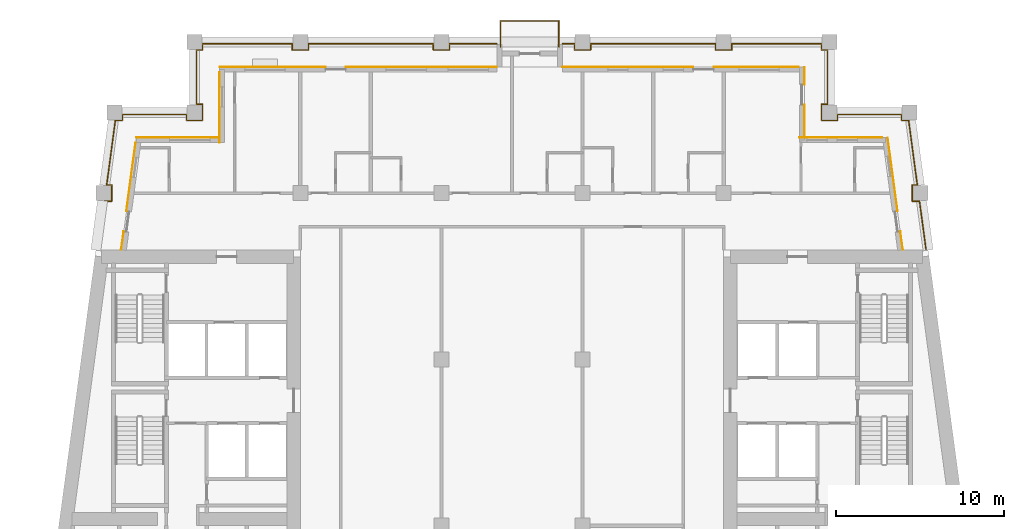
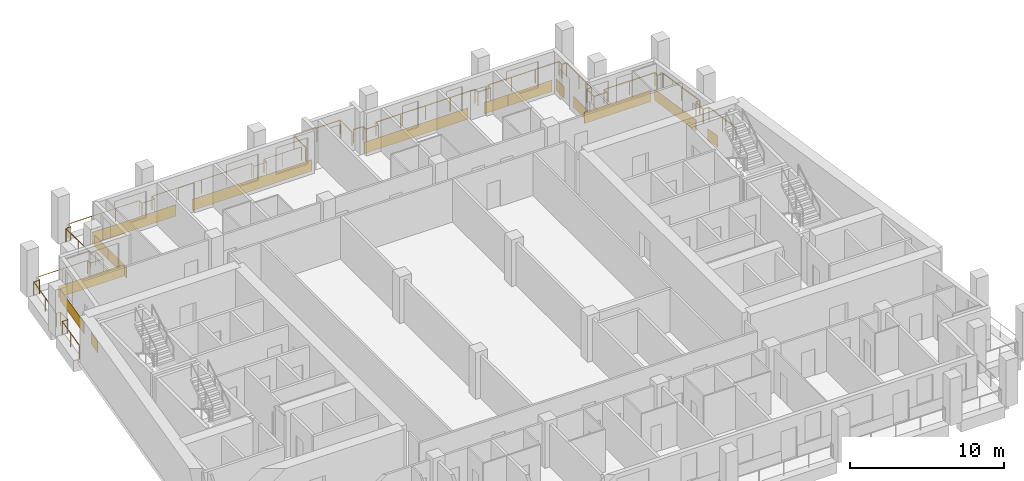
# One storey, part 12 of 13: 15 coverings, 3 railings.
"""IFC4 building model written with IfcOpenShell, lengths in metres."""

from ifc_helpers import new_model, si_unit, direction, frame, origin, origin_2d, place, context, subcontext, project, spatial, rectangle, circle, extrude, material, layer, layer_set, type_object, element, save


model = new_model("IFC4")

# Units and contexts
model_context = context("Model", 3, precision=1e-05, world=origin(), true_north=direction((0.0, 1.0)))
body_context = subcontext(model_context, "Body", "Model", "MODEL_VIEW")
ifc_project = project(units=[si_unit("LENGTHUNIT", "METRE"), si_unit("AREAUNIT", "SQUARE_METRE"), si_unit("VOLUMEUNIT", "CUBIC_METRE"), si_unit("PLANEANGLEUNIT", "RADIAN"), si_unit("MASSUNIT", "GRAM", prefix="KILO")], contexts=[model_context])

# Site, building, storey
site_placement = place(None, origin())
site = spatial("IfcSite", under=ifc_project, at=site_placement, CompositionType="ELEMENT")
building_placement = place(site_placement, origin())
building = spatial("IfcBuilding", under=site, at=building_placement, Name="Candeia Pilgrim Tower and Theatre", CompositionType="ELEMENT")
storey_placement = place(building_placement, frame((0.0, 0.0, 205.89990234375)))
storey = spatial("IfcBuildingStorey", under=building, at=storey_placement, Name="L49", CompositionType="ELEMENT", Elevation=205.89990234375)

# Railings
ifc_material_1 = material(Name="Stainless steel balustrade", Category="steel")
railing_type = type_object("IfcRailingType", Name="G1 loggia guard 1100", PredefinedType="GUARDRAIL", material=ifc_material_1)
railing_1_placement = place(storey_placement, frame((88.758544921875, 132.449951171875, 0.0)))
element("IfcRailing", 1, at=railing_1_placement, inside=storey, type_object=railing_type, Name="Guard L49.2", PredefinedType="GUARDRAIL", context=body_context, shape_type="SweptSolid", body=[
    extrude(circle(Radius=0.02392578125, at=origin_2d()), frame((0.0, 0.0, 1.076171875), z_axis=(0.133450228179, 0.991055516406, 0.0), x_axis=(-0.991055516406, 0.133450228179, 0.0)), (0.0, 0.0, 1.0), 2.89599609375),
    extrude(circle(Radius=0.02392578125, at=origin_2d()), frame((0.386474609375, 2.8701171875, 1.076171875), z_axis=(1.0, 0.0, 0.0), x_axis=(0.0, 1.0, 0.0)), (0.0, 0.0, 1.0), 0.42333984375),
    extrude(circle(Radius=0.02392578125, at=origin_2d()), frame((0.809814453125, 2.8701171875, 1.076171875), z_axis=(0.0, 1.0, 0.0), x_axis=(-1.0, 0.0, 0.0)), (0.0, 0.0, 1.0), 0.9599609375),
    extrude(circle(Radius=0.02392578125, at=origin_2d()), frame((0.809814453125, 3.830078125, 1.076171875), z_axis=(-1.0, 0.0, 0.0), x_axis=(0.0, -1.0, 0.0)), (0.0, 0.0, 1.0), 0.294189453125),
    extrude(circle(Radius=0.02392578125, at=origin_2d()), frame((0.515625, 3.830078125, 1.076171875), z_axis=(0.133389399471, 0.991063705374, 0.0), x_axis=(-0.991063705374, 0.133389399471, 0.0)), (0.0, 0.0, 1.0), 3.874755859375),
    extrude(circle(Radius=0.02392578125, at=origin_2d()), frame((1.032470703125, 7.670166015625, 1.076171875), z_axis=(1.0, 0.0, 0.0), x_axis=(0.0, 1.0, 0.0)), (0.0, 0.0, 1.0), 0.423583984375),
    extrude(circle(Radius=0.02392578125, at=origin_2d()), frame((1.4560546875, 7.670166015625, 1.076171875), z_axis=(0.0, 1.0, 0.0), x_axis=(-1.0, 0.0, 0.0)), (0.0, 0.0, 1.0), 0.35986328125),
    extrude(circle(Radius=0.02392578125, at=origin_2d()), frame((1.4560546875, 8.030029296875, 1.076171875), z_axis=(1.0, 0.0, 0.0), x_axis=(0.0, 1.0, 0.0)), (0.0, 0.0, 1.0), 3.805419921875),
    extrude(circle(Radius=0.02392578125, at=origin_2d()), frame((5.261474609375, 8.030029296875, 1.076171875), z_axis=(0.0, -1.0, 0.0), x_axis=(1.0, 0.0, 0.0)), (0.0, 0.0, 1.0), 0.35986328125),
    extrude(circle(Radius=0.02392578125, at=origin_2d()), frame((5.261474609375, 7.670166015625, 1.076171875), z_axis=(1.0, 0.0, 0.0), x_axis=(0.0, 1.0, 0.0)), (0.0, 0.0, 1.0), 0.9599609375),
    extrude(circle(Radius=0.02392578125, at=origin_2d()), frame((6.221435546875, 7.670166015625, 1.076171875), z_axis=(0.0, 1.0, 0.0), x_axis=(-1.0, 0.0, 0.0)), (0.0, 0.0, 1.0), 0.9599609375),
    extrude(circle(Radius=0.02392578125, at=origin_2d()), frame((6.221435546875, 8.630126953125, 1.076171875), z_axis=(-1.0, 0.0, 0.0), x_axis=(0.0, -1.0, 0.0)), (0.0, 0.0, 1.0), 0.35986328125),
    extrude(circle(Radius=0.02392578125, at=origin_2d()), frame((5.861572265625, 8.630126953125, 1.076171875), z_axis=(0.0, 1.0, 0.0), x_axis=(-1.0, 0.0, 0.0)), (0.0, 0.0, 1.0), 3.239990234375),
    extrude(circle(Radius=0.02392578125, at=origin_2d()), frame((5.861572265625, 11.8701171875, 1.076171875), z_axis=(1.0, 0.0, 0.0), x_axis=(0.0, 1.0, 0.0)), (0.0, 0.0, 1.0), 0.35986328125),
    extrude(circle(Radius=0.02392578125, at=origin_2d()), frame((6.221435546875, 11.8701171875, 1.076171875), z_axis=(0.0, 1.0, 0.0), x_axis=(-1.0, 0.0, 0.0)), (0.0, 0.0, 1.0), 0.35986328125),
    extrude(circle(Radius=0.02392578125, at=origin_2d()), frame((6.221435546875, 12.22998046875, 1.076171875), z_axis=(1.0, 0.0, 0.0), x_axis=(0.0, 1.0, 0.0)), (0.0, 0.0, 1.0), 5.340087890625),
    extrude(circle(Radius=0.02392578125, at=origin_2d()), frame((11.5615234375, 12.22998046875, 1.076171875), z_axis=(0.0, -1.0, 0.0), x_axis=(1.0, 0.0, 0.0)), (0.0, 0.0, 1.0), 0.35986328125),
    extrude(circle(Radius=0.02392578125, at=origin_2d()), frame((11.5615234375, 11.8701171875, 1.076171875), z_axis=(1.0, 0.0, 0.0), x_axis=(0.0, 1.0, 0.0)), (0.0, 0.0, 1.0), 0.9599609375),
    extrude(circle(Radius=0.02392578125, at=origin_2d()), frame((12.521484375, 11.8701171875, 1.076171875), z_axis=(0.0, 1.0, 0.0), x_axis=(-1.0, 0.0, 0.0)), (0.0, 0.0, 1.0), 0.35986328125),
    extrude(circle(Radius=0.02392578125, at=origin_2d()), frame((12.521484375, 12.22998046875, 1.076171875), z_axis=(1.0, 0.0, 0.0), x_axis=(0.0, 1.0, 0.0)), (0.0, 0.0, 1.0), 7.43994140625),
    extrude(circle(Radius=0.02392578125, at=origin_2d()), frame((19.96142578125, 12.22998046875, 1.076171875), z_axis=(0.0, -1.0, 0.0), x_axis=(1.0, 0.0, 0.0)), (0.0, 0.0, 1.0), 0.35986328125),
    extrude(circle(Radius=0.02392578125, at=origin_2d()), frame((19.96142578125, 11.8701171875, 1.076171875), z_axis=(1.0, 0.0, 0.0), x_axis=(0.0, 1.0, 0.0)), (0.0, 0.0, 1.0), 0.9599609375),
    extrude(circle(Radius=0.02392578125, at=origin_2d()), frame((20.92138671875, 11.8701171875, 1.076171875), z_axis=(0.0, 1.0, 0.0), x_axis=(-1.0, 0.0, 0.0)), (0.0, 0.0, 1.0), 0.35986328125),
    extrude(circle(Radius=0.02392578125, at=origin_2d()), frame((20.92138671875, 12.22998046875, 1.076171875), z_axis=(1.0, 0.0, 0.0), x_axis=(0.0, 1.0, 0.0)), (0.0, 0.0, 1.0), 2.820068359375),
    extrude(circle(Radius=0.02099609375, at=origin_2d()), origin(), (0.0, 0.0, 1.0), 1.052001953125),
    extrude(circle(Radius=0.02099609375, at=origin_2d()), frame((0.193359375, 1.43505859375, 0.0)), (0.0, 0.0, 1.0), 1.052001953125),
    extrude(circle(Radius=0.02099609375, at=origin_2d()), frame((0.386474609375, 2.8701171875, 0.0)), (0.0, 0.0, 1.0), 1.052001953125),
    extrude(circle(Radius=0.02099609375, at=origin_2d()), frame((0.809814453125, 2.8701171875, 0.0)), (0.0, 0.0, 1.0), 1.052001953125),
    extrude(circle(Radius=0.02099609375, at=origin_2d()), frame((0.809814453125, 3.830078125, 0.0)), (0.0, 0.0, 1.0), 1.052001953125),
    extrude(circle(Radius=0.02099609375, at=origin_2d()), frame((0.515625, 3.830078125, 0.0)), (0.0, 0.0, 1.0), 1.052001953125),
    extrude(circle(Radius=0.02099609375, at=origin_2d()), frame((0.77392578125, 5.75, 0.0)), (0.0, 0.0, 1.0), 1.052001953125),
    extrude(circle(Radius=0.02099609375, at=origin_2d()), frame((1.032470703125, 7.670166015625, 0.0)), (0.0, 0.0, 1.0), 1.052001953125),
    extrude(circle(Radius=0.02099609375, at=origin_2d()), frame((1.4560546875, 7.670166015625, 0.0)), (0.0, 0.0, 1.0), 1.052001953125),
    extrude(circle(Radius=0.02099609375, at=origin_2d()), frame((1.4560546875, 8.030029296875, 0.0)), (0.0, 0.0, 1.0), 1.052001953125),
    extrude(circle(Radius=0.02099609375, at=origin_2d()), frame((3.35888671875, 8.030029296875, 0.0)), (0.0, 0.0, 1.0), 1.052001953125),
    extrude(circle(Radius=0.02099609375, at=origin_2d()), frame((5.261474609375, 8.030029296875, 0.0)), (0.0, 0.0, 1.0), 1.052001953125),
    extrude(circle(Radius=0.02099609375, at=origin_2d()), frame((5.261474609375, 7.670166015625, 0.0)), (0.0, 0.0, 1.0), 1.052001953125),
    extrude(circle(Radius=0.02099609375, at=origin_2d()), frame((6.221435546875, 7.670166015625, 0.0)), (0.0, 0.0, 1.0), 1.052001953125),
    extrude(circle(Radius=0.02099609375, at=origin_2d()), frame((6.221435546875, 8.630126953125, 0.0)), (0.0, 0.0, 1.0), 1.052001953125),
    extrude(circle(Radius=0.02099609375, at=origin_2d()), frame((5.861572265625, 8.630126953125, 0.0)), (0.0, 0.0, 1.0), 1.052001953125),
    extrude(circle(Radius=0.02099609375, at=origin_2d()), frame((5.861572265625, 10.25, 0.0)), (0.0, 0.0, 1.0), 1.052001953125),
    extrude(circle(Radius=0.02099609375, at=origin_2d()), frame((5.861572265625, 11.8701171875, 0.0)), (0.0, 0.0, 1.0), 1.052001953125),
    extrude(circle(Radius=0.02099609375, at=origin_2d()), frame((6.221435546875, 11.8701171875, 0.0)), (0.0, 0.0, 1.0), 1.052001953125),
    extrude(circle(Radius=0.02099609375, at=origin_2d()), frame((6.221435546875, 12.22998046875, 0.0)), (0.0, 0.0, 1.0), 1.052001953125),
    extrude(circle(Radius=0.02099609375, at=origin_2d()), frame((8.00146484375, 12.22998046875, 0.0)), (0.0, 0.0, 1.0), 1.052001953125),
    extrude(circle(Radius=0.02099609375, at=origin_2d()), frame((9.781494140625, 12.22998046875, 0.0)), (0.0, 0.0, 1.0), 1.052001953125),
    extrude(circle(Radius=0.02099609375, at=origin_2d()), frame((11.5615234375, 12.22998046875, 0.0)), (0.0, 0.0, 1.0), 1.052001953125),
    extrude(circle(Radius=0.02099609375, at=origin_2d()), frame((11.5615234375, 11.8701171875, 0.0)), (0.0, 0.0, 1.0), 1.052001953125),
    extrude(circle(Radius=0.02099609375, at=origin_2d()), frame((12.521484375, 11.8701171875, 0.0)), (0.0, 0.0, 1.0), 1.052001953125),
    extrude(circle(Radius=0.02099609375, at=origin_2d()), frame((12.521484375, 12.22998046875, 0.0)), (0.0, 0.0, 1.0), 1.052001953125),
    extrude(circle(Radius=0.02099609375, at=origin_2d()), frame((14.38134765625, 12.22998046875, 0.0)), (0.0, 0.0, 1.0), 1.052001953125),
    extrude(circle(Radius=0.02099609375, at=origin_2d()), frame((16.241455078125, 12.22998046875, 0.0)), (0.0, 0.0, 1.0), 1.052001953125),
    extrude(circle(Radius=0.02099609375, at=origin_2d()), frame((18.1015625, 12.22998046875, 0.0)), (0.0, 0.0, 1.0), 1.052001953125),
    extrude(circle(Radius=0.02099609375, at=origin_2d()), frame((19.96142578125, 12.22998046875, 0.0)), (0.0, 0.0, 1.0), 1.052001953125),
    extrude(circle(Radius=0.02099609375, at=origin_2d()), frame((19.96142578125, 11.8701171875, 0.0)), (0.0, 0.0, 1.0), 1.052001953125),
    extrude(circle(Radius=0.02099609375, at=origin_2d()), frame((20.92138671875, 11.8701171875, 0.0)), (0.0, 0.0, 1.0), 1.052001953125),
    extrude(circle(Radius=0.02099609375, at=origin_2d()), frame((20.92138671875, 12.22998046875, 0.0)), (0.0, 0.0, 1.0), 1.052001953125),
    extrude(circle(Radius=0.02099609375, at=origin_2d()), frame((22.33154296875, 12.22998046875, 0.0)), (0.0, 0.0, 1.0), 1.052001953125),
    extrude(circle(Radius=0.02099609375, at=origin_2d()), frame((23.741455078125, 12.22998046875, 0.0)), (0.0, 0.0, 1.0), 1.052001953125),
])
railing_2_placement = place(storey_placement, frame((116.39990234375, 144.679931640625, 0.0)))
element("IfcRailing", 2, at=railing_2_placement, inside=storey, type_object=railing_type, Name="Guard L49.3", PredefinedType="GUARDRAIL", context=body_context, shape_type="SweptSolid", body=[
    extrude(circle(Radius=0.02392578125, at=origin_2d()), frame((0.0, 0.0, 1.076171875), z_axis=(1.0, 0.0, 0.0), x_axis=(0.0, 1.0, 0.0)), (0.0, 0.0, 1.0), 0.72021484375),
    extrude(circle(Radius=0.02392578125, at=origin_2d()), frame((0.72021484375, 0.0, 1.076171875), z_axis=(0.0, -1.0, 0.0), x_axis=(1.0, 0.0, 0.0)), (0.0, 0.0, 1.0), 0.35986328125),
    extrude(circle(Radius=0.02392578125, at=origin_2d()), frame((0.72021484375, -0.35986328125, 1.076171875), z_axis=(1.0, 0.0, 0.0), x_axis=(0.0, 1.0, 0.0)), (0.0, 0.0, 1.0), 0.9599609375),
    extrude(circle(Radius=0.02392578125, at=origin_2d()), frame((1.68017578125, -0.35986328125, 1.076171875), z_axis=(0.0, 1.0, 0.0), x_axis=(-1.0, 0.0, 0.0)), (0.0, 0.0, 1.0), 0.35986328125),
    extrude(circle(Radius=0.02392578125, at=origin_2d()), frame((1.68017578125, 0.0, 1.076171875), z_axis=(1.0, 0.0, 0.0), x_axis=(0.0, 1.0, 0.0)), (0.0, 0.0, 1.0), 7.43994140625),
    extrude(circle(Radius=0.02392578125, at=origin_2d()), frame((9.1201171875, 0.0, 1.076171875), z_axis=(0.0, -1.0, 0.0), x_axis=(1.0, 0.0, 0.0)), (0.0, 0.0, 1.0), 0.35986328125),
    extrude(circle(Radius=0.02392578125, at=origin_2d()), frame((9.1201171875, -0.35986328125, 1.076171875), z_axis=(1.0, 0.0, 0.0), x_axis=(0.0, 1.0, 0.0)), (0.0, 0.0, 1.0), 0.9599609375),
    extrude(circle(Radius=0.02392578125, at=origin_2d()), frame((10.080078125, -0.35986328125, 1.076171875), z_axis=(0.0, 1.0, 0.0), x_axis=(-1.0, 0.0, 0.0)), (0.0, 0.0, 1.0), 0.35986328125),
    extrude(circle(Radius=0.02392578125, at=origin_2d()), frame((10.080078125, 0.0, 1.076171875), z_axis=(1.0, 0.0, 0.0), x_axis=(0.0, 1.0, 0.0)), (0.0, 0.0, 1.0), 5.340087890625),
    extrude(circle(Radius=0.02392578125, at=origin_2d()), frame((15.420166015625, 0.0, 1.076171875), z_axis=(0.0, -1.0, 0.0), x_axis=(1.0, 0.0, 0.0)), (0.0, 0.0, 1.0), 0.35986328125),
    extrude(circle(Radius=0.02392578125, at=origin_2d()), frame((15.420166015625, -0.35986328125, 1.076171875), z_axis=(1.0, 0.0, 0.0), x_axis=(0.0, 1.0, 0.0)), (0.0, 0.0, 1.0), 0.35986328125),
    extrude(circle(Radius=0.02392578125, at=origin_2d()), frame((15.780029296875, -0.35986328125, 1.076171875), z_axis=(0.0, -1.0, 0.0), x_axis=(1.0, 0.0, 0.0)), (0.0, 0.0, 1.0), 3.239990234375),
    extrude(circle(Radius=0.02392578125, at=origin_2d()), frame((15.780029296875, -3.599853515625, 1.076171875), z_axis=(-1.0, 0.0, 0.0), x_axis=(0.0, -1.0, 0.0)), (0.0, 0.0, 1.0), 0.35986328125),
    extrude(circle(Radius=0.02392578125, at=origin_2d()), frame((15.420166015625, -3.599853515625, 1.076171875), z_axis=(0.0, -1.0, 0.0), x_axis=(1.0, 0.0, 0.0)), (0.0, 0.0, 1.0), 0.9599609375),
    extrude(circle(Radius=0.02392578125, at=origin_2d()), frame((15.420166015625, -4.559814453125, 1.076171875), z_axis=(1.0, 0.0, 0.0), x_axis=(0.0, 1.0, 0.0)), (0.0, 0.0, 1.0), 0.9599609375),
    extrude(circle(Radius=0.02392578125, at=origin_2d()), frame((16.380126953125, -4.559814453125, 1.076171875), z_axis=(0.0, 1.0, 0.0), x_axis=(-1.0, 0.0, 0.0)), (0.0, 0.0, 1.0), 0.35986328125),
    extrude(circle(Radius=0.02392578125, at=origin_2d()), frame((16.380126953125, -4.199951171875, 1.076171875), z_axis=(1.0, 0.0, 0.0), x_axis=(0.0, 1.0, 0.0)), (0.0, 0.0, 1.0), 3.805419921875),
    extrude(circle(Radius=0.02392578125, at=origin_2d()), frame((20.185546875, -4.199951171875, 1.076171875), z_axis=(0.0, -1.0, 0.0), x_axis=(1.0, 0.0, 0.0)), (0.0, 0.0, 1.0), 0.35986328125),
    extrude(circle(Radius=0.02392578125, at=origin_2d()), frame((20.185546875, -4.559814453125, 1.076171875), z_axis=(1.0, 0.0, 0.0), x_axis=(0.0, 1.0, 0.0)), (0.0, 0.0, 1.0), 0.423583984375),
    extrude(circle(Radius=0.02392578125, at=origin_2d()), frame((20.609130859375, -4.559814453125, 1.076171875), z_axis=(0.133389399471, -0.991063705374, 0.0), x_axis=(0.991063705374, 0.133389399471, 0.0)), (0.0, 0.0, 1.0), 3.874755859375),
    extrude(circle(Radius=0.02392578125, at=origin_2d()), frame((21.1259765625, -8.39990234375, 1.076171875), z_axis=(-1.0, 0.0, 0.0), x_axis=(0.0, -1.0, 0.0)), (0.0, 0.0, 1.0), 0.29443359375),
    extrude(circle(Radius=0.02392578125, at=origin_2d()), frame((20.83154296875, -8.39990234375, 1.076171875), z_axis=(0.0, -1.0, 0.0), x_axis=(1.0, 0.0, 0.0)), (0.0, 0.0, 1.0), 0.9599609375),
    extrude(circle(Radius=0.02392578125, at=origin_2d()), frame((20.83154296875, -9.35986328125, 1.076171875), z_axis=(1.0, 0.0, 0.0), x_axis=(0.0, 1.0, 0.0)), (0.0, 0.0, 1.0), 0.423583984375),
    extrude(circle(Radius=0.02392578125, at=origin_2d()), frame((21.255126953125, -9.35986328125, 1.076171875), z_axis=(0.133450228179, -0.991055516406, 0.0), x_axis=(0.991055516406, 0.133450228179, 0.0)), (0.0, 0.0, 1.0), 2.89599609375),
    extrude(circle(Radius=0.02099609375, at=origin_2d()), origin(), (0.0, 0.0, 1.0), 1.052001953125),
    extrude(circle(Radius=0.02099609375, at=origin_2d()), frame((0.72021484375, 0.0, 0.0)), (0.0, 0.0, 1.0), 1.052001953125),
    extrude(circle(Radius=0.02099609375, at=origin_2d()), frame((0.72021484375, -0.35986328125, 0.0)), (0.0, 0.0, 1.0), 1.052001953125),
    extrude(circle(Radius=0.02099609375, at=origin_2d()), frame((1.68017578125, -0.35986328125, 0.0)), (0.0, 0.0, 1.0), 1.052001953125),
    extrude(circle(Radius=0.02099609375, at=origin_2d()), frame((1.68017578125, 0.0, 0.0)), (0.0, 0.0, 1.0), 1.052001953125),
    extrude(circle(Radius=0.02099609375, at=origin_2d()), frame((3.5400390625, 0.0, 0.0)), (0.0, 0.0, 1.0), 1.052001953125),
    extrude(circle(Radius=0.02099609375, at=origin_2d()), frame((5.400146484375, 0.0, 0.0)), (0.0, 0.0, 1.0), 1.052001953125),
    extrude(circle(Radius=0.02099609375, at=origin_2d()), frame((7.26025390625, 0.0, 0.0)), (0.0, 0.0, 1.0), 1.052001953125),
    extrude(circle(Radius=0.02099609375, at=origin_2d()), frame((9.1201171875, 0.0, 0.0)), (0.0, 0.0, 1.0), 1.052001953125),
    extrude(circle(Radius=0.02099609375, at=origin_2d()), frame((9.1201171875, -0.35986328125, 0.0)), (0.0, 0.0, 1.0), 1.052001953125),
    extrude(circle(Radius=0.02099609375, at=origin_2d()), frame((10.080078125, -0.35986328125, 0.0)), (0.0, 0.0, 1.0), 1.052001953125),
    extrude(circle(Radius=0.02099609375, at=origin_2d()), frame((10.080078125, 0.0, 0.0)), (0.0, 0.0, 1.0), 1.052001953125),
    extrude(circle(Radius=0.02099609375, at=origin_2d()), frame((11.860107421875, 0.0, 0.0)), (0.0, 0.0, 1.0), 1.052001953125),
    extrude(circle(Radius=0.02099609375, at=origin_2d()), frame((13.64013671875, 0.0, 0.0)), (0.0, 0.0, 1.0), 1.052001953125),
    extrude(circle(Radius=0.02099609375, at=origin_2d()), frame((15.420166015625, 0.0, 0.0)), (0.0, 0.0, 1.0), 1.052001953125),
    extrude(circle(Radius=0.02099609375, at=origin_2d()), frame((15.420166015625, -0.35986328125, 0.0)), (0.0, 0.0, 1.0), 1.052001953125),
    extrude(circle(Radius=0.02099609375, at=origin_2d()), frame((15.780029296875, -0.35986328125, 0.0)), (0.0, 0.0, 1.0), 1.052001953125),
    extrude(circle(Radius=0.02099609375, at=origin_2d()), frame((15.780029296875, -1.97998046875, 0.0)), (0.0, 0.0, 1.0), 1.052001953125),
    extrude(circle(Radius=0.02099609375, at=origin_2d()), frame((15.780029296875, -3.599853515625, 0.0)), (0.0, 0.0, 1.0), 1.052001953125),
    extrude(circle(Radius=0.02099609375, at=origin_2d()), frame((15.420166015625, -3.599853515625, 0.0)), (0.0, 0.0, 1.0), 1.052001953125),
    extrude(circle(Radius=0.02099609375, at=origin_2d()), frame((15.420166015625, -4.559814453125, 0.0)), (0.0, 0.0, 1.0), 1.052001953125),
    extrude(circle(Radius=0.02099609375, at=origin_2d()), frame((16.380126953125, -4.559814453125, 0.0)), (0.0, 0.0, 1.0), 1.052001953125),
    extrude(circle(Radius=0.02099609375, at=origin_2d()), frame((16.380126953125, -4.199951171875, 0.0)), (0.0, 0.0, 1.0), 1.052001953125),
    extrude(circle(Radius=0.02099609375, at=origin_2d()), frame((18.28271484375, -4.199951171875, 0.0)), (0.0, 0.0, 1.0), 1.052001953125),
    extrude(circle(Radius=0.02099609375, at=origin_2d()), frame((20.185546875, -4.199951171875, 0.0)), (0.0, 0.0, 1.0), 1.052001953125),
    extrude(circle(Radius=0.02099609375, at=origin_2d()), frame((20.185546875, -4.559814453125, 0.0)), (0.0, 0.0, 1.0), 1.052001953125),
    extrude(circle(Radius=0.02099609375, at=origin_2d()), frame((20.609130859375, -4.559814453125, 0.0)), (0.0, 0.0, 1.0), 1.052001953125),
    extrude(circle(Radius=0.02099609375, at=origin_2d()), frame((20.86767578125, -6.47998046875, 0.0)), (0.0, 0.0, 1.0), 1.052001953125),
    extrude(circle(Radius=0.02099609375, at=origin_2d()), frame((21.1259765625, -8.39990234375, 0.0)), (0.0, 0.0, 1.0), 1.052001953125),
    extrude(circle(Radius=0.02099609375, at=origin_2d()), frame((20.83154296875, -8.39990234375, 0.0)), (0.0, 0.0, 1.0), 1.052001953125),
    extrude(circle(Radius=0.02099609375, at=origin_2d()), frame((20.83154296875, -9.35986328125, 0.0)), (0.0, 0.0, 1.0), 1.052001953125),
    extrude(circle(Radius=0.02099609375, at=origin_2d()), frame((21.255126953125, -9.35986328125, 0.0)), (0.0, 0.0, 1.0), 1.052001953125),
    extrude(circle(Radius=0.02099609375, at=origin_2d()), frame((21.4482421875, -10.794921875, 0.0)), (0.0, 0.0, 1.0), 1.052001953125),
    extrude(circle(Radius=0.02099609375, at=origin_2d()), frame((21.6416015625, -12.22998046875, 0.0)), (0.0, 0.0, 1.0), 1.052001953125),
])
railing_3_placement = place(storey_placement, frame((112.7099609375, 144.5, 0.0)))
element("IfcRailing", 3, at=railing_3_placement, inside=storey, type_object=railing_type, Name="Balcony guard L49", PredefinedType="GUARDRAIL", context=body_context, shape_type="SweptSolid", body=[
    extrude(circle(Radius=0.02392578125, at=origin_2d()), frame((0.0, 0.0, 1.076171875), z_axis=(0.0, 1.0, 0.0), x_axis=(-1.0, 0.0, 0.0)), (0.0, 0.0, 1.0), 1.5400390625),
    extrude(circle(Radius=0.02392578125, at=origin_2d()), frame((0.0, 1.5400390625, 1.076171875), z_axis=(1.0, 0.0, 0.0), x_axis=(0.0, 1.0, 0.0)), (0.0, 0.0, 1.0), 3.47998046875),
    extrude(circle(Radius=0.02392578125, at=origin_2d()), frame((3.47998046875, 1.5400390625, 1.076171875), z_axis=(0.0, -1.0, 0.0), x_axis=(1.0, 0.0, 0.0)), (0.0, 0.0, 1.0), 1.5400390625),
    extrude(circle(Radius=0.02099609375, at=origin_2d()), origin(), (0.0, 0.0, 1.0), 1.052001953125),
    extrude(circle(Radius=0.02099609375, at=origin_2d()), frame((0.0, 1.5400390625, 0.0)), (0.0, 0.0, 1.0), 1.052001953125),
    extrude(circle(Radius=0.02099609375, at=origin_2d()), frame((1.739990234375, 1.5400390625, 0.0)), (0.0, 0.0, 1.0), 1.052001953125),
    extrude(circle(Radius=0.02099609375, at=origin_2d()), frame((3.47998046875, 1.5400390625, 0.0)), (0.0, 0.0, 1.0), 1.052001953125),
    extrude(circle(Radius=0.02099609375, at=origin_2d()), frame((3.47998046875, 0.0, 0.0)), (0.0, 0.0, 1.0), 1.052001953125),
])

# Coverings
ifc_material_2 = material(Name="Glazed ceramic tile bottle green")
ifc_layer_1 = layer(ifc_material_2, 0.02001953125)
ifc_layer_set_1 = layer_set([ifc_layer_1], Name="Glazed ceramic tile bottle green")
covering_type_1 = type_object("IfcCoveringType", Name="Glazed ceramic tile bottle green", PredefinedType="CLADDING", material=ifc_layer_set_1)
covering_1_placement = place(storey_placement, frame((136.588623046875, 132.97412109375, 0.000244140625), z_axis=(0.0, 0.0, 1.0), x_axis=(-0.133412012145, 0.991060661622, 0.0)))
element("IfcCovering", 4, at=covering_1_placement, inside=storey, type_object=covering_type_1, Name="Tile cladding bottle green L49", PredefinedType="CLADDING", context=body_context, shape_type="SweptSolid", body=[
    extrude(rectangle(XDim=1.115234375, YDim=0.02001953125, at=origin_2d()), origin(), (0.0, 0.0, 1.0), 0.89990234375),
])
covering_2_placement = place(storey_placement, frame((136.058837890625, 136.90869140625, 0.000244140625), z_axis=(0.0, 0.0, 1.0), x_axis=(-0.133412012145, 0.991060661622, 0.0)))
element("IfcCovering", 5, at=covering_2_placement, inside=storey, type_object=covering_type_1, Name="Tile cladding bottle green L49", PredefinedType="CLADDING", context=body_context, shape_type="SweptSolid", body=[
    extrude(rectangle(XDim=4.4248046875, YDim=0.02001953125, at=origin_2d()), origin(), (0.0, 0.0, 1.0), 0.89990234375),
])
covering_3_placement = place(storey_placement, frame((130.81005859375, 140.0849609375, 0.000244140625), z_axis=(0.0, 0.0, 1.0), x_axis=(0.0, 1.0, 0.0)))
element("IfcCovering", 6, at=covering_3_placement, inside=storey, type_object=covering_type_1, Name="Tile cladding bottle green L49", PredefinedType="CLADDING", context=body_context, shape_type="SweptSolid", body=[
    extrude(rectangle(XDim=1.929931640625, YDim=0.02001953125, at=origin_2d()), origin(), (0.0, 0.0, 1.0), 0.89990234375),
])
covering_4_placement = place(storey_placement, frame((126.300048828125, 143.31005859375, 0.000244140625), z_axis=(0.0, 0.0, 1.0), x_axis=(-1.0, 0.0, 0.0)))
element("IfcCovering", 7, at=covering_4_placement, inside=storey, type_object=covering_type_1, Name="Tile cladding bottle green L49", PredefinedType="CLADDING", context=body_context, shape_type="SweptSolid", body=[
    extrude(rectangle(XDim=1.800048828125, YDim=0.02001953125, at=origin_2d()), origin(), (0.0, 0.0, 1.0), 0.89990234375),
])
covering_5_placement = place(storey_placement, frame((120.300048828125, 143.31005859375, 0.000244140625), z_axis=(0.0, 0.0, 1.0), x_axis=(-1.0, 0.0, 0.0)))
element("IfcCovering", 8, at=covering_5_placement, inside=storey, type_object=covering_type_1, Name="Tile cladding bottle green L49", PredefinedType="CLADDING", context=body_context, shape_type="SweptSolid", body=[
    extrude(rectangle(XDim=7.800048828125, YDim=0.02001953125, at=origin_2d()), origin(), (0.0, 0.0, 1.0), 0.89990234375),
])
covering_6_placement = place(storey_placement, frame((108.0, 143.31005859375, 0.000244140625), z_axis=(0.0, 0.0, 1.0), x_axis=(-1.0, 0.0, 0.0)))
element("IfcCovering", 9, at=covering_6_placement, inside=storey, type_object=covering_type_1, Name="Tile cladding bottle green L49", PredefinedType="CLADDING", context=body_context, shape_type="SweptSolid", body=[
    extrude(rectangle(XDim=9.0, YDim=0.02001953125, at=origin_2d()), origin(), (0.0, 0.0, 1.0), 0.89990234375),
])
covering_7_placement = place(storey_placement, frame((99.14990234375, 143.31005859375, 0.000244140625), z_axis=(0.0, 0.0, 1.0), x_axis=(-1.0, 0.0, 0.0)))
element("IfcCovering", 10, at=covering_7_placement, inside=storey, type_object=covering_type_1, Name="Tile cladding bottle green L49", PredefinedType="CLADDING", context=body_context, shape_type="SweptSolid", body=[
    extrude(rectangle(XDim=6.300048828125, YDim=0.02001953125, at=origin_2d()), origin(), (0.0, 0.0, 1.0), 0.89990234375),
])
covering_8_placement = place(storey_placement, frame((95.989990234375, 140.0, 0.000244140625), z_axis=(0.0, 0.0, 1.0), x_axis=(0.0, -1.0, 0.0)))
element("IfcCovering", 11, at=covering_8_placement, inside=storey, type_object=covering_type_1, Name="Tile cladding bottle green L49", PredefinedType="CLADDING", context=body_context, shape_type="SweptSolid", body=[
    extrude(rectangle(XDim=2.39990234375, YDim=0.02001953125, at=origin_2d()), origin(), (0.0, 0.0, 1.0), 0.89990234375),
])
covering_9_placement = place(storey_placement, frame((93.51318359375, 139.110107421875, 0.000244140625), z_axis=(0.0, 0.0, 1.0), x_axis=(-1.0, 0.0, 0.0)))
element("IfcCovering", 12, at=covering_9_placement, inside=storey, type_object=covering_type_1, Name="Tile cladding bottle green L49", PredefinedType="CLADDING", context=body_context, shape_type="SweptSolid", body=[
    extrude(rectangle(XDim=4.933837890625, YDim=0.02001953125, at=origin_2d()), origin(), (0.0, 0.0, 1.0), 0.89990234375),
])
covering_10_placement = place(storey_placement, frame((90.720947265625, 136.759521484375, 0.000244140625), z_axis=(0.0, 0.0, 1.0), x_axis=(-0.133412012145, -0.991060661622, 0.0)))
element("IfcCovering", 13, at=covering_10_placement, inside=storey, type_object=covering_type_1, Name="Tile cladding bottle green L49", PredefinedType="CLADDING", context=body_context, shape_type="SweptSolid", body=[
    extrude(rectangle(XDim=4.123779296875, YDim=0.02001953125, at=origin_2d()), origin(), (0.0, 0.0, 1.0), 0.89990234375),
])
covering_11_placement = place(storey_placement, frame((90.21142578125, 132.97412109375, 0.000244140625), z_axis=(0.0, 0.0, 1.0), x_axis=(-0.133412012145, -0.991060661622, 0.0)))
element("IfcCovering", 14, at=covering_11_placement, inside=storey, type_object=covering_type_1, Name="Tile cladding bottle green L49", PredefinedType="CLADDING", context=body_context, shape_type="SweptSolid", body=[
    extrude(rectangle(XDim=1.115234375, YDim=0.02001953125, at=origin_2d()), origin(), (0.0, 0.0, 1.0), 0.89990234375),
])
ifc_material_3 = material(Name="Glazed ceramic tile rust")
ifc_layer_2 = layer(ifc_material_3, 0.02001953125)
ifc_layer_set_2 = layer_set([ifc_layer_2], Name="Glazed ceramic tile rust")
covering_type_2 = type_object("IfcCoveringType", Name="Glazed ceramic tile rust", PredefinedType="CLADDING", material=ifc_layer_set_2)
covering_12_placement = place(storey_placement, frame((132.976318359375, 139.110107421875, 0.000244140625), z_axis=(0.0, 0.0, 1.0), x_axis=(-1.0, 0.0, 0.0)))
element("IfcCovering", 15, at=covering_12_placement, inside=storey, type_object=covering_type_2, Name="Tile cladding rust L49", PredefinedType="CLADDING", context=body_context, shape_type="SweptSolid", body=[
    extrude(rectangle(XDim=4.95263671875, YDim=0.02001953125, at=origin_2d()), origin(), (0.0, 0.0, 1.0), 0.89990234375),
])
covering_13_placement = place(storey_placement, frame((130.81005859375, 142.77490234375, 0.000244140625), z_axis=(0.0, 0.0, 1.0), x_axis=(0.0, 1.0, 0.0)))
element("IfcCovering", 16, at=covering_13_placement, inside=storey, type_object=covering_type_2, Name="Tile cladding rust L49", PredefinedType="CLADDING", context=body_context, shape_type="SweptSolid", body=[
    extrude(rectangle(XDim=1.050048828125, YDim=0.02001953125, at=origin_2d()), origin(), (0.0, 0.0, 1.0), 0.89990234375),
])
covering_14_placement = place(storey_placement, frame((128.840087890625, 143.31005859375, 0.000244140625), z_axis=(0.0, 0.0, 1.0), x_axis=(-1.0, 0.0, 0.0)))
element("IfcCovering", 17, at=covering_14_placement, inside=storey, type_object=covering_type_2, Name="Tile cladding rust L49", PredefinedType="CLADDING", context=body_context, shape_type="SweptSolid", body=[
    extrude(rectangle(XDim=3.280029296875, YDim=0.02001953125, at=origin_2d()), origin(), (0.0, 0.0, 1.0), 0.89990234375),
])
covering_15_placement = place(storey_placement, frame((95.989990234375, 142.090087890625, 0.000244140625), z_axis=(0.0, 0.0, 1.0), x_axis=(0.0, -1.0, 0.0)))
element("IfcCovering", 18, at=covering_15_placement, inside=storey, type_object=covering_type_2, Name="Tile cladding rust L49", PredefinedType="CLADDING", context=body_context, shape_type="SweptSolid", body=[
    extrude(rectangle(XDim=1.780029296875, YDim=0.02001953125, at=origin_2d()), origin(), (0.0, 0.0, 1.0), 0.89990234375),
])

save(model, "model.ifc")
